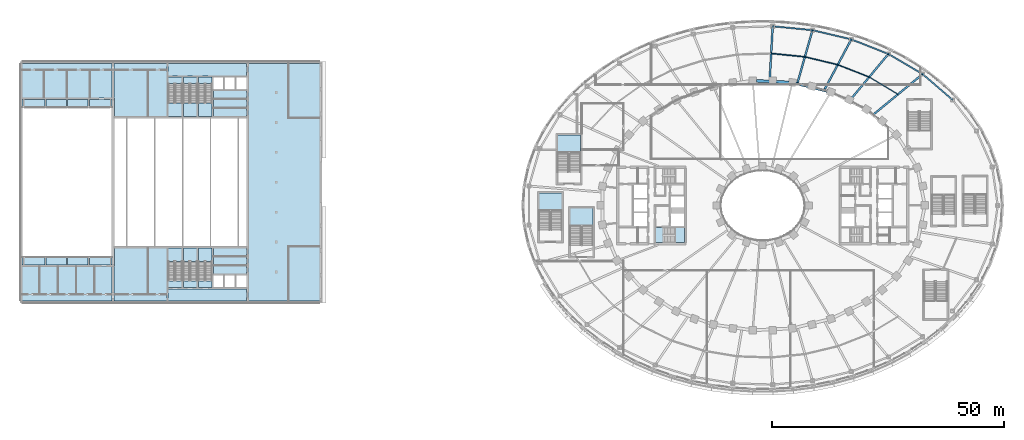
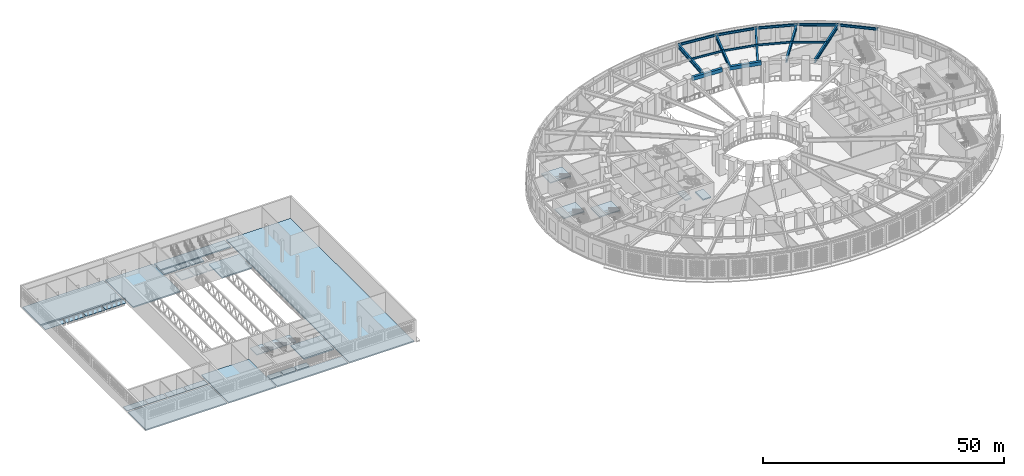
# One storey, part 7 of 69: 34 slabs, 16 beams, 10 elements without a shape of their own.
"""IFC4 building model written with IfcOpenShell, lengths in metres."""

from ifc_helpers import new_model, si_unit, direction, frame, origin, origin_2d, place, context, subcontext, project, spatial, polyline, rectangle, i_section, outline, extrude, material, layer, layer_set, material_profile, profile_set, type_object, element, aggregate, save


model = new_model("IFC4")

# Units and contexts
model_context = context("Model", 3, precision=1e-05, world=origin(), true_north=direction((0.0, 1.0)))
body_context = subcontext(model_context, "Body", "Model", "MODEL_VIEW")
ifc_project = project(units=[si_unit("LENGTHUNIT", "METRE"), si_unit("AREAUNIT", "SQUARE_METRE"), si_unit("VOLUMEUNIT", "CUBIC_METRE"), si_unit("PLANEANGLEUNIT", "RADIAN"), si_unit("MASSUNIT", "GRAM", prefix="KILO")], contexts=[model_context])

# Site, building, storey
site_placement = place(None, origin())
site = spatial("IfcSite", under=ifc_project, at=site_placement, CompositionType="ELEMENT")
building_placement = place(site_placement, origin())
building = spatial("IfcBuilding", under=site, at=building_placement, Name="Noorbagh Ring Tower", CompositionType="ELEMENT")
storey_placement = place(building_placement, frame((0.0, 0.0, 19.5)))
storey = spatial("IfcBuildingStorey", under=building, at=storey_placement, Name="L03", CompositionType="ELEMENT", Elevation=19.5)

# Beams
ifc_material_1 = material(Name="Steel S355", Category="steel")
ifc_material_profile_1 = material_profile(ifc_material_1, i_section(OverallWidth=0.300048828125, OverallDepth=0.60009765625, WebThickness=0.015380859375, FlangeThickness=0.030029296875, FilletRadius=0.027099609375, at=origin_2d()), Name="HEB600")
ifc_profile_set_1 = profile_set([ifc_material_profile_1], Name="Steel S355")
beam_type_1 = type_object("IfcBeamType", Name="GND-EDGE-BEAM-HEB600", PredefinedType="BEAM", material=ifc_profile_set_1)
beam_1_placement = place(storey_placement, frame((40.927734375, 22.75, 4.949951171875), z_axis=(-0.758254861469, 0.651958254076, 0.0), x_axis=(-0.651958254076, -0.758254861469, 0.0)))
element("IfcBeam", 1, at=beam_1_placement, inside=storey, type_object=beam_type_1, Name="L03/bm/ERP-04", PredefinedType="BEAM", context=body_context, shape_type="SweptSolid", body=[
    extrude(i_section(OverallWidth=0.300048828125, OverallDepth=0.60009765625, WebThickness=0.015380859375, FlangeThickness=0.030029296875, FilletRadius=0.027099609375, at=origin_2d()), origin(), (0.0, 0.0, 1.0), 8.5234375),
])
beam_2_placement = place(storey_placement, frame((34.46484375, 28.306884765625, 4.949951171875), z_axis=(-0.8618652907, 0.507137279922, 0.0), x_axis=(-0.507137279922, -0.8618652907, 0.0)))
element("IfcBeam", 2, at=beam_2_placement, inside=storey, type_object=beam_type_1, Name="L03/bm/ERP-05", PredefinedType="BEAM", context=body_context, shape_type="SweptSolid", body=[
    extrude(i_section(OverallWidth=0.300048828125, OverallDepth=0.60009765625, WebThickness=0.015380859375, FlangeThickness=0.030029296875, FilletRadius=0.027099609375, at=origin_2d()), origin(), (0.0, 0.0, 1.0), 8.560302734375),
])
beam_3_placement = place(storey_placement, frame((27.0869140625, 32.648193359375, 4.949951171875), z_axis=(-0.930571668723, 0.366109777758, 0.0), x_axis=(-0.366109777758, -0.930571668723, 0.0)))
element("IfcBeam", 3, at=beam_3_placement, inside=storey, type_object=beam_type_1, Name="L03/bm/ERP-06", PredefinedType="BEAM", context=body_context, shape_type="SweptSolid", body=[
    extrude(i_section(OverallWidth=0.300048828125, OverallDepth=0.60009765625, WebThickness=0.015380859375, FlangeThickness=0.030029296875, FilletRadius=0.027099609375, at=origin_2d()), origin(), (0.0, 0.0, 1.0), 8.58642578125),
])
beam_4_placement = place(storey_placement, frame((19.0966796875, 35.791748046875, 4.949951171875), z_axis=(-0.973167977411, 0.230095822957, 0.0), x_axis=(-0.230095822957, -0.973167977411, 0.0)))
element("IfcBeam", 4, at=beam_4_placement, inside=storey, type_object=beam_type_1, Name="L03/bm/ERP-07", PredefinedType="BEAM", context=body_context, shape_type="SweptSolid", body=[
    extrude(i_section(OverallWidth=0.300048828125, OverallDepth=0.60009765625, WebThickness=0.015380859375, FlangeThickness=0.030029296875, FilletRadius=0.027099609375, at=origin_2d()), origin(), (0.0, 0.0, 1.0), 8.602783203125),
])
beam_5_placement = place(storey_placement, frame((10.724609375, 37.771240234375, 4.949951171875), z_axis=(-0.9951967317, 0.097895174616, 0.0), x_axis=(-0.097895174616, -0.9951967317, 0.0)))
element("IfcBeam", 5, at=beam_5_placement, inside=storey, type_object=beam_type_1, Name="L03/bm/ERP-08", PredefinedType="BEAM", context=body_context, shape_type="SweptSolid", body=[
    extrude(i_section(OverallWidth=0.300048828125, OverallDepth=0.60009765625, WebThickness=0.015380859375, FlangeThickness=0.030029296875, FilletRadius=0.027099609375, at=origin_2d()), origin(), (0.0, 0.0, 1.0), 8.611328125),
])
ifc_material_2 = material(Name="Steel S355", Category="steel")
ifc_material_profile_2 = material_profile(ifc_material_2, i_section(OverallWidth=0.39990234375, OverallDepth=1.0, WebThickness=0.01611328125, FlangeThickness=0.0400390625, at=origin_2d()), Name="PG1000x400x16x40")
ifc_profile_set_2 = profile_set([ifc_material_profile_2], Name="Steel S355")
beam_type_2 = type_object("IfcBeamType", Name="GND-GIRDER-PG1000x400x16x40", PredefinedType="BEAM", material=ifc_profile_set_2)
beam_6_placement = place(storey_placement, frame((34.46484375, 28.306884765625, 4.75), z_axis=(-0.772763025599, -0.63469465593, 0.0), x_axis=(0.63469465593, -0.772763025599, 0.0)))
element("IfcBeam", 6, at=beam_6_placement, inside=storey, type_object=beam_type_2, Name="L03/bm/GRP-05", PredefinedType="BEAM", context=body_context, shape_type="SweptSolid", body=[
    extrude(i_section(OverallWidth=0.39990234375, OverallDepth=1.0, WebThickness=0.01611328125, FlangeThickness=0.0400390625, at=origin_2d()), origin(), (0.0, 0.0, 1.0), 13.723388671875),
])
beam_7_placement = place(storey_placement, frame((27.0869140625, 32.648193359375, 4.75), z_axis=(-0.638516852805, -0.769607840841, 0.0), x_axis=(0.769607840841, -0.638516852805, 0.0)))
element("IfcBeam", 7, at=beam_7_placement, inside=storey, type_object=beam_type_2, Name="L03/bm/GRP-06", PredefinedType="BEAM", context=body_context, shape_type="SweptSolid", body=[
    extrude(i_section(OverallWidth=0.39990234375, OverallDepth=1.0, WebThickness=0.01611328125, FlangeThickness=0.0400390625, at=origin_2d()), origin(), (0.0, 0.0, 1.0), 12.943603515625),
])
beam_8_placement = place(storey_placement, frame((19.0966796875, 35.791748046875, 4.75), z_axis=(-0.470746944877, -0.88226827773, 0.0), x_axis=(0.88226827773, -0.470746944877, 0.0)))
element("IfcBeam", 8, at=beam_8_placement, inside=storey, type_object=beam_type_2, Name="L03/bm/GRP-07", PredefinedType="BEAM", context=body_context, shape_type="SweptSolid", body=[
    extrude(i_section(OverallWidth=0.39990234375, OverallDepth=1.0, WebThickness=0.01611328125, FlangeThickness=0.0400390625, at=origin_2d()), origin(), (0.0, 0.0, 1.0), 12.375),
])
beam_9_placement = place(storey_placement, frame((10.724609375, 37.771240234375, 4.75), z_axis=(-0.273130016452, -0.961977127645, 0.0), x_axis=(0.961977127645, -0.273130016452, 0.0)))
element("IfcBeam", 9, at=beam_9_placement, inside=storey, type_object=beam_type_2, Name="L03/bm/GRP-08", PredefinedType="BEAM", context=body_context, shape_type="SweptSolid", body=[
    extrude(i_section(OverallWidth=0.39990234375, OverallDepth=1.0, WebThickness=0.01611328125, FlangeThickness=0.0400390625, at=origin_2d()), origin(), (0.0, 0.0, 1.0), 11.939208984375),
])
beam_10_placement = place(storey_placement, frame((2.154541015625, 38.6142578125, 4.75), z_axis=(-0.055716608816, -0.998446623261, 0.0), x_axis=(0.998446623261, -0.055716608816, 0.0)))
element("IfcBeam", 10, at=beam_10_placement, inside=storey, type_object=beam_type_2, Name="L03/bm/GRP-09", PredefinedType="BEAM", context=body_context, shape_type="SweptSolid", body=[
    extrude(i_section(OverallWidth=0.39990234375, OverallDepth=1.0, WebThickness=0.01611328125, FlangeThickness=0.0400390625, at=origin_2d()), origin(), (0.0, 0.0, 1.0), 11.734619140625),
])
ifc_material_3 = material(Name="Steel S355", Category="steel")
ifc_material_profile_3 = material_profile(ifc_material_3, i_section(OverallWidth=0.199951171875, OverallDepth=0.5, WebThickness=0.01025390625, FlangeThickness=0.01611328125, FilletRadius=0.02099609375, at=origin_2d()), Name="IPE500")
ifc_profile_set_3 = profile_set([ifc_material_profile_3], Name="Steel S355")
beam_type_3 = type_object("IfcBeamType", Name="GND-MID-BEAM-IPE500", PredefinedType="JOIST", material=ifc_profile_set_3)
beam_11_placement = place(storey_placement, frame((29.162353515625, 23.951904296875, 5.0), z_axis=(-0.858046251749, 0.513572419293, 0.0), x_axis=(-0.513572419293, -0.858046251749, 0.0)))
element("IfcBeam", 11, at=beam_11_placement, inside=storey, type_object=beam_type_3, Name="L03/bm/MRP-05", PredefinedType="JOIST", context=body_context, shape_type="SweptSolid", body=[
    extrude(i_section(OverallWidth=0.199951171875, OverallDepth=0.5, WebThickness=0.01025390625, FlangeThickness=0.01611328125, FilletRadius=0.02099609375, at=origin_2d()), origin(), (0.0, 0.0, 1.0), 7.23486328125),
])
beam_12_placement = place(storey_placement, frame((22.95458984375, 27.66748046875, 5.0), z_axis=(-0.930496782909, 0.36630006415, 0.0), x_axis=(-0.36630006415, -0.930496782909, 0.0)))
element("IfcBeam", 12, at=beam_12_placement, inside=storey, type_object=beam_type_3, Name="L03/bm/MRP-06", PredefinedType="JOIST", context=body_context, shape_type="SweptSolid", body=[
    extrude(i_section(OverallWidth=0.199951171875, OverallDepth=0.5, WebThickness=0.01025390625, FlangeThickness=0.01611328125, FilletRadius=0.02099609375, at=origin_2d()), origin(), (0.0, 0.0, 1.0), 7.276123046875),
])
beam_13_placement = place(storey_placement, frame((16.18408203125, 30.332763671875, 5.0), z_axis=(-0.972568186564, 0.23261797541, 0.0), x_axis=(-0.23261797541, -0.972568186564, 0.0)))
element("IfcBeam", 13, at=beam_13_placement, inside=storey, type_object=beam_type_3, Name="L03/bm/MRP-07", PredefinedType="JOIST", context=body_context, shape_type="SweptSolid", body=[
    extrude(i_section(OverallWidth=0.199951171875, OverallDepth=0.5, WebThickness=0.01025390625, FlangeThickness=0.01611328125, FilletRadius=0.02099609375, at=origin_2d()), origin(), (0.0, 0.0, 1.0), 7.2900390625),
])
beam_14_placement = place(storey_placement, frame((9.093994140625, 32.028564453125, 5.0), z_axis=(-0.99502493545, 0.099626190493, 0.0), x_axis=(-0.099626190493, -0.99502493545, 0.0)))
element("IfcBeam", 14, at=beam_14_placement, inside=storey, type_object=beam_type_3, Name="L03/bm/MRP-08", PredefinedType="JOIST", context=body_context, shape_type="SweptSolid", body=[
    extrude(i_section(OverallWidth=0.199951171875, OverallDepth=0.5, WebThickness=0.01025390625, FlangeThickness=0.01611328125, FilletRadius=0.02099609375, at=origin_2d()), origin(), (0.0, 0.0, 1.0), 7.302734375),
])
ifc_material_4 = material(Name="Concrete C40/50", Category="concrete")
ifc_material_profile_4 = material_profile(ifc_material_4, rectangle(XDim=0.60009765625, YDim=0.89990234375, at=origin_2d()), Name="RC600x900")
ifc_profile_set_4 = profile_set([ifc_material_profile_4], Name="Concrete C40/50")
beam_type_4 = type_object("IfcBeamType", Name="STR-SB-RC600x900-C40-50", PredefinedType="BEAM", material=ifc_profile_set_4)
beam_15_placement = place(storey_placement, frame((13.9482421875, 24.62890625, 4.800048828125), z_axis=(-0.970827667704, 0.239778313491, 0.0), x_axis=(-0.239778313491, -0.970827667704, 0.0)))
element("IfcBeam", 15, at=beam_15_placement, inside=storey, type_object=beam_type_4, Name="L03/bm/SP09", PredefinedType="BEAM", context=body_context, shape_type="SweptSolid", body=[
    extrude(rectangle(XDim=0.60009765625, YDim=0.89990234375, at=origin_2d()), origin(), (0.0, 0.0, 1.0), 6.981689453125),
])
beam_16_placement = place(storey_placement, frame((5.62646484375, 26.528076171875, 4.800048828125), z_axis=(-0.998867742854, 0.047573440964, 0.0), x_axis=(-0.047573440964, -0.998867742854, 0.0)))
element("IfcBeam", 16, at=beam_16_placement, inside=storey, type_object=beam_type_4, Name="L03/bm/SP11", PredefinedType="BEAM", context=body_context, shape_type="SweptSolid", body=[
    extrude(rectangle(XDim=0.60009765625, YDim=0.89990234375, at=origin_2d()), origin(), (0.0, 0.0, 1.0), 6.99462890625),
])

# Stair, slabs
ifc_material_5 = material(Name="Concrete C40/50", Category="concrete")
stair_type_1 = type_object("IfcStairType", Name="CORE-STAIR", PredefinedType="HALF_TURN_STAIR", material=ifc_material_5)
stair_1_placement = place(storey_placement, origin())
stair_1 = element("IfcStair", 17, at=stair_1_placement, inside=storey, type_object=stair_type_1, Name="L03 Exit stair ST2", PredefinedType="HALF_TURN_STAIR")
ifc_material_6 = material(Name="Concrete C40/50", Category="concrete")
ifc_layer_1 = layer(ifc_material_6, 0.300048828125)
ifc_layer_set_1 = layer_set([ifc_layer_1], Name="Concrete C40/50")
slab_type_1 = type_object("IfcSlabType", Name="CORE-STAIR-LANDING", PredefinedType="LANDING", material=ifc_layer_set_1)
slab_1_placement = place(storey_placement, frame((0.0, 0.0, 1.074951171875)))
slab_1 = element("IfcSlab", 18, at=slab_1_placement, type_object=slab_type_1, Name="ST2 landing 1", PredefinedType="LANDING", context=body_context, shape_type="SweptSolid", body=[
    extrude(outline(polyline([(-18.81005859375, -8.0), (-16.89990234375, -8.0), (-16.89990234375, -4.75), (-18.81005859375, -4.75), (-18.81005859375, -8.0)])), origin(), (0.0, 0.0, 1.0), 0.300048828125),
])
slab_2_placement = place(storey_placement, frame((0.0, 0.0, 2.449951171875)))
slab_2 = element("IfcSlab", 19, at=slab_2_placement, type_object=slab_type_1, Name="ST2 landing 2", PredefinedType="LANDING", context=body_context, shape_type="SweptSolid", body=[
    extrude(outline(polyline([(-23.080078125, -8.0), (-21.530029296875, -8.0), (-21.530029296875, -4.75), (-23.080078125, -4.75), (-23.080078125, -8.0)])), origin(), (0.0, 0.0, 1.0), 0.300048828125),
])
aggregate(stair_1, [slab_1, slab_2])

# Stair, slab
ifc_material_7 = material(Name="Concrete C40/50", Category="concrete")
stair_type_2 = type_object("IfcStairType", Name="GND-STAIR", PredefinedType="HALF_TURN_STAIR", material=ifc_material_7)
stair_2_placement = place(storey_placement, origin())
stair_2 = element("IfcStair", 20, at=stair_2_placement, inside=storey, type_object=stair_type_2, Name="L03 exit stair ST-P1", PredefinedType="HALF_TURN_STAIR")
ifc_material_8 = material(Name="Concrete C40/50", Category="concrete")
ifc_layer_2 = layer(ifc_material_8, 0.25)
ifc_layer_set_2 = layer_set([ifc_layer_2], Name="Concrete C40/50")
slab_type_2 = type_object("IfcSlabType", Name="GND-STAIR-LANDING", PredefinedType="LANDING", material=ifc_layer_set_2)
slab_3_placement = place(storey_placement, frame((0.0, 0.0, 2.5)))
slab_3 = element("IfcSlab", 21, at=slab_3_placement, type_object=slab_type_2, Name="ST-P1 landing 1", PredefinedType="LANDING", context=body_context, shape_type="SweptSolid", body=[
    extrude(outline(polyline([(-36.550048828125, -4.39990234375), (-36.550048828125, -0.60009765625), (-41.5, -0.60009765625), (-41.5, -4.39990234375), (-36.550048828125, -4.39990234375)])), origin(), (0.0, 0.0, 1.0), 0.25),
])
aggregate(stair_2, [slab_3])

stair_3_placement = place(storey_placement, origin())
stair_3 = element("IfcStair", 22, at=stair_3_placement, inside=storey, type_object=stair_type_2, Name="L03 exit stair ST-P3", PredefinedType="HALF_TURN_STAIR")
slab_4_placement = place(storey_placement, frame((0.0, 0.0, 2.5)))
slab_4 = element("IfcSlab", 23, at=slab_4_placement, type_object=slab_type_2, Name="ST-P3 landing 1", PredefinedType="LANDING", context=body_context, shape_type="SweptSolid", body=[
    extrude(outline(polyline([(-43.25, -1.10009765625), (-43.25, 2.699951171875), (-48.199951171875, 2.699951171875), (-48.199951171875, -1.10009765625), (-43.25, -1.10009765625)])), origin(), (0.0, 0.0, 1.0), 0.25),
])
aggregate(stair_3, [slab_4])

stair_4_placement = place(storey_placement, origin())
stair_4 = element("IfcStair", 24, at=stair_4_placement, inside=storey, type_object=stair_type_2, Name="L03 exit stair ST-P7", PredefinedType="HALF_TURN_STAIR")
slab_5_placement = place(storey_placement, frame((0.0, 0.0, 2.5)))
slab_5 = element("IfcSlab", 25, at=slab_5_placement, type_object=slab_type_2, Name="ST-P7 landing 1", PredefinedType="LANDING", context=body_context, shape_type="SweptSolid", body=[
    extrude(outline(polyline([(-39.25, 11.39990234375), (-39.25, 15.199951171875), (-44.199951171875, 15.199951171875), (-44.199951171875, 11.39990234375), (-39.25, 11.39990234375)])), origin(), (0.0, 0.0, 1.0), 0.25),
])
aggregate(stair_4, [slab_5])

# Slabs
ifc_material_9 = material(Name="Concrete C40/50", Category="concrete")
ifc_layer_3 = layer(ifc_material_9, 0.300048828125)
ifc_layer_set_3 = layer_set([ifc_layer_3], Name="Concrete C40/50")
slab_type_3 = type_object("IfcSlabType", Name="TH-SLAB-FLOOR", PredefinedType="FLOOR", material=ifc_layer_set_3)
slab_6_placement = place(storey_placement, frame((0.0, 0.0, -0.300048828125)))
element("IfcSlab", 26, at=slab_6_placement, inside=storey, type_object=slab_type_3, Name="Floor slab", PredefinedType="FLOOR", context=body_context, shape_type="SweptSolid", body=[
    extrude(outline(polyline([(-140.199951171875, -20.60009765625), (-140.199951171875, -13.199951171875), (-159.60009765625, -13.199951171875), (-159.60009765625, -20.60009765625), (-140.199951171875, -20.60009765625)])), origin(), (0.0, 0.0, 1.0), 0.300048828125),
])
slab_7_placement = place(storey_placement, frame((0.0, 0.0, -0.300048828125)))
element("IfcSlab", 27, at=slab_7_placement, inside=storey, type_object=slab_type_3, Name="Floor slab", PredefinedType="FLOOR", context=body_context, shape_type="SweptSolid", body=[
    extrude(outline(polyline([(-159.60009765625, 30.60009765625), (-159.60009765625, 23.199951171875), (-140.199951171875, 23.199951171875), (-140.199951171875, 30.60009765625), (-159.60009765625, 30.60009765625)])), origin(), (0.0, 0.0, 1.0), 0.300048828125),
])
slab_8_placement = place(storey_placement, frame((0.0, 0.0, -0.300048828125)))
element("IfcSlab", 28, at=slab_8_placement, inside=storey, type_object=slab_type_3, Name="Floor slab", PredefinedType="FLOOR", context=body_context, shape_type="SweptSolid", body=[
    extrude(outline(polyline([(-128.39990234375, -20.60009765625), (-128.39990234375, -9.199951171875), (-139.699951171875, -9.199951171875), (-139.699951171875, -12.800048828125), (-139.699951171875, -13.199951171875), (-139.800048828125, -13.199951171875), (-139.800048828125, -20.60009765625), (-128.39990234375, -20.60009765625)])), origin(), (0.0, 0.0, 1.0), 0.300048828125),
])
slab_9_placement = place(storey_placement, frame((0.0, 0.0, -0.300048828125)))
element("IfcSlab", 29, at=slab_9_placement, inside=storey, type_object=slab_type_3, Name="Floor slab", PredefinedType="FLOOR", context=body_context, shape_type="SweptSolid", body=[
    extrude(outline(polyline([(-139.699951171875, 19.199951171875), (-128.39990234375, 19.199951171875), (-128.39990234375, 30.60009765625), (-139.800048828125, 30.60009765625), (-139.800048828125, 23.199951171875), (-139.699951171875, 23.199951171875), (-139.699951171875, 22.800048828125), (-139.699951171875, 19.199951171875)])), origin(), (0.0, 0.0, 1.0), 0.300048828125),
])
slab_10_placement = place(storey_placement, frame((0.0, 0.0, -0.300048828125)))
element("IfcSlab", 30, at=slab_10_placement, inside=storey, type_object=slab_type_3, Name="Floor slab", PredefinedType="FLOOR", context=body_context, shape_type="SweptSolid", body=[
    extrude(outline(polyline([(-125.14990234375, -16.24951171875), (-128.10009765625, -16.24951171875), (-128.10009765625, -17.64990234375), (-125.14990234375, -17.64990234375), (-125.14990234375, -16.24951171875)])), origin(), (0.0, 0.0, 1.0), 0.300048828125),
])
slab_11_placement = place(storey_placement, frame((0.0, 0.0, -0.300048828125)))
element("IfcSlab", 31, at=slab_11_placement, inside=storey, type_object=slab_type_3, Name="Floor slab", PredefinedType="FLOOR", context=body_context, shape_type="SweptSolid", body=[
    extrude(outline(polyline([(-125.14990234375, 27.64990234375), (-128.10009765625, 27.64990234375), (-128.10009765625, 26.24951171875), (-125.14990234375, 26.24951171875), (-125.14990234375, 27.64990234375)])), origin(), (0.0, 0.0, 1.0), 0.300048828125),
])
slab_12_placement = place(storey_placement, frame((0.0, 0.0, -0.300048828125)))
element("IfcSlab", 32, at=slab_12_placement, inside=storey, type_object=slab_type_3, Name="Floor slab", PredefinedType="FLOOR", context=body_context, shape_type="SweptSolid", body=[
    extrude(outline(polyline([(-121.89990234375, -17.64990234375), (-121.89990234375, -16.24951171875), (-124.85009765625, -16.24951171875), (-124.85009765625, -17.64990234375), (-121.89990234375, -17.64990234375)])), origin(), (0.0, 0.0, 1.0), 0.300048828125),
])
slab_13_placement = place(storey_placement, frame((0.0, 0.0, -0.300048828125)))
element("IfcSlab", 33, at=slab_13_placement, inside=storey, type_object=slab_type_3, Name="Floor slab", PredefinedType="FLOOR", context=body_context, shape_type="SweptSolid", body=[
    extrude(outline(polyline([(-121.89990234375, 27.64990234375), (-124.85009765625, 27.64990234375), (-124.85009765625, 26.24951171875), (-121.89990234375, 26.24951171875), (-121.89990234375, 27.64990234375)])), origin(), (0.0, 0.0, 1.0), 0.300048828125),
])
slab_14_placement = place(storey_placement, frame((0.0, 0.0, -0.300048828125)))
element("IfcSlab", 34, at=slab_14_placement, inside=storey, type_object=slab_type_3, Name="Floor slab", PredefinedType="FLOOR", context=body_context, shape_type="SweptSolid", body=[
    extrude(outline(polyline([(-118.64990234375, -16.24951171875), (-121.60009765625, -16.24951171875), (-121.60009765625, -17.64990234375), (-118.64990234375, -17.64990234375), (-118.64990234375, -16.24951171875)])), origin(), (0.0, 0.0, 1.0), 0.300048828125),
])
slab_15_placement = place(storey_placement, frame((0.0, 0.0, -0.300048828125)))
element("IfcSlab", 35, at=slab_15_placement, inside=storey, type_object=slab_type_3, Name="Floor slab", PredefinedType="FLOOR", context=body_context, shape_type="SweptSolid", body=[
    extrude(outline(polyline([(-121.60009765625, 27.64990234375), (-121.60009765625, 26.24951171875), (-118.64990234375, 26.24951171875), (-118.64990234375, 27.64990234375), (-121.60009765625, 27.64990234375)])), origin(), (0.0, 0.0, 1.0), 0.300048828125),
])
slab_16_placement = place(storey_placement, frame((0.0, 0.0, -0.300048828125)))
element("IfcSlab", 36, at=slab_16_placement, inside=storey, type_object=slab_type_3, Name="Floor slab", PredefinedType="FLOOR", context=body_context, shape_type="SweptSolid", body=[
    extrude(outline(polyline([(-111.199951171875, -20.60009765625), (-111.199951171875, -17.949951171875), (-128.10009765625, -17.949951171875), (-128.10009765625, -20.60009765625), (-111.199951171875, -20.60009765625)])), origin(), (0.0, 0.0, 1.0), 0.300048828125),
])
slab_17_placement = place(storey_placement, frame((0.0, 0.0, -0.300048828125)))
element("IfcSlab", 37, at=slab_17_placement, inside=storey, type_object=slab_type_3, Name="Floor slab", PredefinedType="FLOOR", context=body_context, shape_type="SweptSolid", body=[
    extrude(outline(polyline([(-111.199951171875, 27.949951171875), (-111.199951171875, 30.60009765625), (-128.10009765625, 30.60009765625), (-128.10009765625, 27.949951171875), (-111.199951171875, 27.949951171875)])), origin(), (0.0, 0.0, 1.0), 0.300048828125),
])
slab_18_placement = place(storey_placement, frame((0.0, 0.0, -0.300048828125)))
element("IfcSlab", 38, at=slab_18_placement, inside=storey, type_object=slab_type_3, Name="Floor slab", PredefinedType="FLOOR", context=body_context, shape_type="SweptSolid", body=[
    extrude(outline(polyline([(-111.199951171875, -14.75), (-111.199951171875, -9.199951171875), (-118.35009765625, -9.199951171875), (-118.35009765625, -14.75), (-111.199951171875, -14.75)])), origin(), (0.0, 0.0, 1.0), 0.300048828125),
])
slab_19_placement = place(storey_placement, frame((0.0, 0.0, -0.300048828125)))
element("IfcSlab", 39, at=slab_19_placement, inside=storey, type_object=slab_type_3, Name="Floor slab", PredefinedType="FLOOR", context=body_context, shape_type="SweptSolid", body=[
    extrude(outline(polyline([(-118.35009765625, 24.75), (-118.35009765625, 19.199951171875), (-111.199951171875, 19.199951171875), (-111.199951171875, 24.75), (-118.35009765625, 24.75)])), origin(), (0.0, 0.0, 1.0), 0.300048828125),
])
slab_20_placement = place(storey_placement, frame((0.0, 0.0, -0.300048828125)))
element("IfcSlab", 40, at=slab_20_placement, inside=storey, type_object=slab_type_3, Name="Floor slab", PredefinedType="FLOOR", context=body_context, shape_type="SweptSolid", body=[
    extrude(outline(polyline([(-95.39990234375, 19.300048828125), (-95.39990234375, 20.10009765625), (-95.39990234375, 24.64990234375), (-95.39990234375, 25.449951171875), (-95.39990234375, 30.0), (-95.39990234375, 30.60009765625), (-110.800048828125, 30.60009765625), (-110.800048828125, -20.60009765625), (-95.39990234375, -20.60009765625), (-95.39990234375, -20.0), (-95.39990234375, -15.449951171875), (-95.39990234375, -14.64990234375), (-95.39990234375, -10.10009765625), (-95.39990234375, -9.300048828125), (-95.39990234375, -4.75), (-95.39990234375, -3.949951171875), (-95.39990234375, 0.60009765625), (-95.39990234375, 1.39990234375), (-95.39990234375, 8.60009765625), (-95.39990234375, 9.39990234375), (-95.39990234375, 13.949951171875), (-95.39990234375, 14.75), (-95.39990234375, 19.300048828125)])), origin(), (0.0, 0.0, 1.0), 0.300048828125),
])
ifc_material_10 = material(Name="Galvanised steel grating S355", Category="steel")
ifc_layer_4 = layer(ifc_material_10, 0.080078125)
ifc_layer_set_4 = layer_set([ifc_layer_4], Name="Galvanised steel grating S355")
slab_type_4 = type_object("IfcSlabType", Name="TH-SLAB-GALLERY", PredefinedType="FLOOR", material=ifc_layer_set_4)
slab_21_placement = place(storey_placement, frame((0.0, 0.0, -0.080078125)))
element("IfcSlab", 41, at=slab_21_placement, inside=storey, type_object=slab_type_4, Name="Fly gallery plate S1", PredefinedType="FLOOR", context=body_context, shape_type="SweptSolid", body=[
    extrude(outline(polyline([(-159.60009765625, -12.800048828125), (-154.695068359375, -12.800048828125), (-154.695068359375, -11.139892578125), (-159.60009765625, -11.139892578125), (-159.60009765625, -12.800048828125)])), origin(), (0.0, 0.0, 1.0), 0.080078125),
])
slab_22_placement = place(storey_placement, frame((0.0, 0.0, -0.080078125)))
element("IfcSlab", 42, at=slab_22_placement, inside=storey, type_object=slab_type_4, Name="Fly gallery plate S2", PredefinedType="FLOOR", context=body_context, shape_type="SweptSolid", body=[
    extrude(outline(polyline([(-154.455078125, -12.800048828125), (-150.02001953125, -12.800048828125), (-150.02001953125, -11.139892578125), (-154.455078125, -11.139892578125), (-154.455078125, -12.800048828125)])), origin(), (0.0, 0.0, 1.0), 0.080078125),
])
slab_23_placement = place(storey_placement, frame((0.0, 0.0, -0.080078125)))
element("IfcSlab", 43, at=slab_23_placement, inside=storey, type_object=slab_type_4, Name="Fly gallery plate S3", PredefinedType="FLOOR", context=body_context, shape_type="SweptSolid", body=[
    extrude(outline(polyline([(-149.780029296875, -12.800048828125), (-145.344970703125, -12.800048828125), (-145.344970703125, -11.139892578125), (-149.780029296875, -11.139892578125), (-149.780029296875, -12.800048828125)])), origin(), (0.0, 0.0, 1.0), 0.080078125),
])
slab_24_placement = place(storey_placement, frame((0.0, 0.0, -0.080078125)))
element("IfcSlab", 44, at=slab_24_placement, inside=storey, type_object=slab_type_4, Name="Fly gallery plate S4", PredefinedType="FLOOR", context=body_context, shape_type="SweptSolid", body=[
    extrude(outline(polyline([(-145.10498046875, -12.800048828125), (-140.199951171875, -12.800048828125), (-140.199951171875, -11.139892578125), (-145.10498046875, -11.139892578125), (-145.10498046875, -12.800048828125)])), origin(), (0.0, 0.0, 1.0), 0.080078125),
])
slab_25_placement = place(storey_placement, frame((0.0, 0.0, -0.080078125)))
element("IfcSlab", 45, at=slab_25_placement, inside=storey, type_object=slab_type_4, Name="Fly gallery plate N1", PredefinedType="FLOOR", context=body_context, shape_type="SweptSolid", body=[
    extrude(outline(polyline([(-159.60009765625, 21.139892578125), (-154.695068359375, 21.139892578125), (-154.695068359375, 22.800048828125), (-159.60009765625, 22.800048828125), (-159.60009765625, 21.139892578125)])), origin(), (0.0, 0.0, 1.0), 0.080078125),
])
slab_26_placement = place(storey_placement, frame((0.0, 0.0, -0.080078125)))
element("IfcSlab", 46, at=slab_26_placement, inside=storey, type_object=slab_type_4, Name="Fly gallery plate N2", PredefinedType="FLOOR", context=body_context, shape_type="SweptSolid", body=[
    extrude(outline(polyline([(-154.455078125, 21.139892578125), (-150.02001953125, 21.139892578125), (-150.02001953125, 22.800048828125), (-154.455078125, 22.800048828125), (-154.455078125, 21.139892578125)])), origin(), (0.0, 0.0, 1.0), 0.080078125),
])
slab_27_placement = place(storey_placement, frame((0.0, 0.0, -0.080078125)))
element("IfcSlab", 47, at=slab_27_placement, inside=storey, type_object=slab_type_4, Name="Fly gallery plate N3", PredefinedType="FLOOR", context=body_context, shape_type="SweptSolid", body=[
    extrude(outline(polyline([(-149.780029296875, 21.139892578125), (-145.344970703125, 21.139892578125), (-145.344970703125, 22.800048828125), (-149.780029296875, 22.800048828125), (-149.780029296875, 21.139892578125)])), origin(), (0.0, 0.0, 1.0), 0.080078125),
])
slab_28_placement = place(storey_placement, frame((0.0, 0.0, -0.080078125)))
element("IfcSlab", 48, at=slab_28_placement, inside=storey, type_object=slab_type_4, Name="Fly gallery plate N4", PredefinedType="FLOOR", context=body_context, shape_type="SweptSolid", body=[
    extrude(outline(polyline([(-145.10498046875, 21.139892578125), (-140.199951171875, 21.139892578125), (-140.199951171875, 22.800048828125), (-145.10498046875, 22.800048828125), (-145.10498046875, 21.139892578125)])), origin(), (0.0, 0.0, 1.0), 0.080078125),
])

# Stair, slab
ifc_material_11 = material(Name="Concrete C40/50", Category="concrete")
stair_type_3 = type_object("IfcStairType", Name="TH-STAIR", PredefinedType="HALF_TURN_STAIR", material=ifc_material_11)
stair_5_placement = place(storey_placement, origin())
stair_5 = element("IfcStair", 49, at=stair_5_placement, inside=storey, type_object=stair_type_3, Name="L03 Exit stair S1", PredefinedType="HALF_TURN_STAIR")
ifc_material_12 = material(Name="Concrete C40/50", Category="concrete")
ifc_layer_5 = layer(ifc_material_12, 0.199951171875)
ifc_layer_set_5 = layer_set([ifc_layer_5], Name="Concrete C40/50")
slab_type_5 = type_object("IfcSlabType", Name="TH-STAIR-LANDING", PredefinedType="LANDING", material=ifc_layer_set_5)
slab_29_placement = place(storey_placement, frame((0.0, 0.0, 2.550048828125)))
slab_29 = element("IfcSlab", 50, at=slab_29_placement, type_object=slab_type_5, Name="TSS1 landing 1", PredefinedType="LANDING", context=body_context, shape_type="SweptSolid", body=[
    extrude(outline(polyline([(-121.89990234375, -12.050048828125), (-121.89990234375, -9.199951171875), (-124.85009765625, -9.199951171875), (-124.85009765625, -12.050048828125), (-121.89990234375, -12.050048828125)])), origin(), (0.0, 0.0, 1.0), 0.199951171875),
])
aggregate(stair_5, [slab_29])

stair_6_placement = place(storey_placement, origin())
stair_6 = element("IfcStair", 51, at=stair_6_placement, inside=storey, type_object=stair_type_3, Name="L03 Exit stair S2", PredefinedType="HALF_TURN_STAIR")
slab_30_placement = place(storey_placement, frame((0.0, 0.0, 2.550048828125)))
slab_30 = element("IfcSlab", 52, at=slab_30_placement, type_object=slab_type_5, Name="TSS2 landing 1", PredefinedType="LANDING", context=body_context, shape_type="SweptSolid", body=[
    extrude(outline(polyline([(-118.64990234375, -12.050048828125), (-118.64990234375, -9.199951171875), (-121.60009765625, -9.199951171875), (-121.60009765625, -12.050048828125), (-118.64990234375, -12.050048828125)])), origin(), (0.0, 0.0, 1.0), 0.199951171875),
])
aggregate(stair_6, [slab_30])

stair_7_placement = place(storey_placement, origin())
stair_7 = element("IfcStair", 53, at=stair_7_placement, inside=storey, type_object=stair_type_3, Name="L03 Exit stair S3", PredefinedType="HALF_TURN_STAIR")
slab_31_placement = place(storey_placement, frame((0.0, 0.0, 2.550048828125)))
slab_31 = element("IfcSlab", 54, at=slab_31_placement, type_object=slab_type_5, Name="TSS3 landing 1", PredefinedType="LANDING", context=body_context, shape_type="SweptSolid", body=[
    extrude(outline(polyline([(-125.14990234375, -12.050048828125), (-125.14990234375, -9.199951171875), (-128.10009765625, -9.199951171875), (-128.10009765625, -12.050048828125), (-125.14990234375, -12.050048828125)])), origin(), (0.0, 0.0, 1.0), 0.199951171875),
])
aggregate(stair_7, [slab_31])

stair_8_placement = place(storey_placement, origin())
stair_8 = element("IfcStair", 55, at=stair_8_placement, inside=storey, type_object=stair_type_3, Name="L03 Exit stair N1", PredefinedType="HALF_TURN_STAIR")
slab_32_placement = place(storey_placement, frame((0.0, 0.0, 2.550048828125)))
slab_32 = element("IfcSlab", 56, at=slab_32_placement, type_object=slab_type_5, Name="TSN1 landing 1", PredefinedType="LANDING", context=body_context, shape_type="SweptSolid", body=[
    extrude(outline(polyline([(-124.85009765625, 22.050048828125), (-124.85009765625, 19.199951171875), (-121.89990234375, 19.199951171875), (-121.89990234375, 22.050048828125), (-124.85009765625, 22.050048828125)])), origin(), (0.0, 0.0, 1.0), 0.199951171875),
])
aggregate(stair_8, [slab_32])

stair_9_placement = place(storey_placement, origin())
stair_9 = element("IfcStair", 57, at=stair_9_placement, inside=storey, type_object=stair_type_3, Name="L03 Exit stair N2", PredefinedType="HALF_TURN_STAIR")
slab_33_placement = place(storey_placement, frame((0.0, 0.0, 2.550048828125)))
slab_33 = element("IfcSlab", 58, at=slab_33_placement, type_object=slab_type_5, Name="TSN2 landing 1", PredefinedType="LANDING", context=body_context, shape_type="SweptSolid", body=[
    extrude(outline(polyline([(-121.60009765625, 22.050048828125), (-121.60009765625, 19.199951171875), (-118.64990234375, 19.199951171875), (-118.64990234375, 22.050048828125), (-121.60009765625, 22.050048828125)])), origin(), (0.0, 0.0, 1.0), 0.199951171875),
])
aggregate(stair_9, [slab_33])

stair_10_placement = place(storey_placement, origin())
stair_10 = element("IfcStair", 59, at=stair_10_placement, inside=storey, type_object=stair_type_3, Name="L03 Exit stair N3", PredefinedType="HALF_TURN_STAIR")
slab_34_placement = place(storey_placement, frame((0.0, 0.0, 2.550048828125)))
slab_34 = element("IfcSlab", 60, at=slab_34_placement, type_object=slab_type_5, Name="TSN3 landing 1", PredefinedType="LANDING", context=body_context, shape_type="SweptSolid", body=[
    extrude(outline(polyline([(-128.10009765625, 22.050048828125), (-128.10009765625, 19.199951171875), (-125.14990234375, 19.199951171875), (-125.14990234375, 22.050048828125), (-128.10009765625, 22.050048828125)])), origin(), (0.0, 0.0, 1.0), 0.199951171875),
])
aggregate(stair_10, [slab_34])

save(model, "model.ifc")
